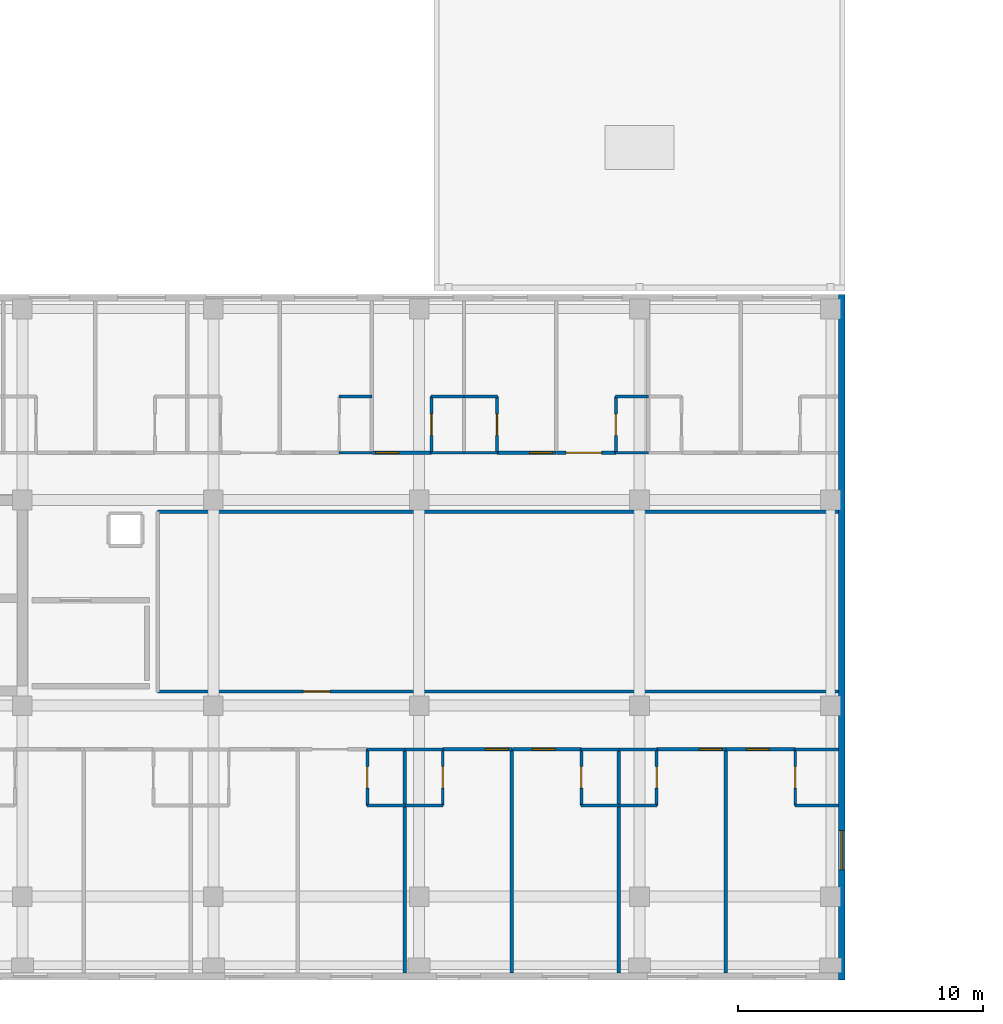
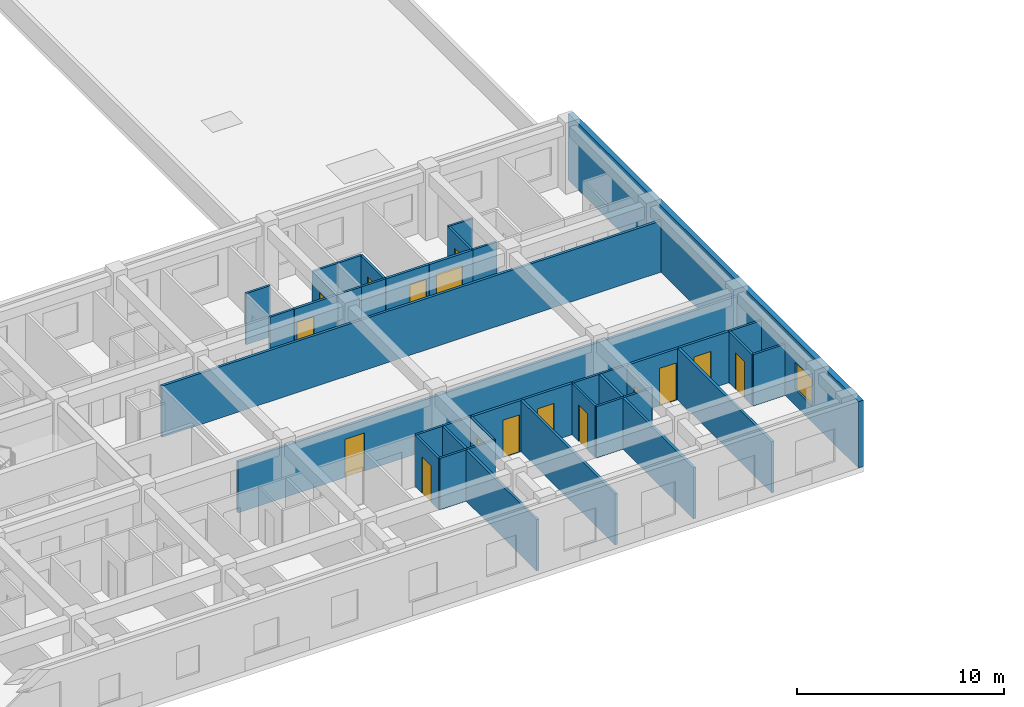
# One storey, part 103 of 127: 40 walls, 16 doors, 1 window, 17 openings.
"""IFC4 building model written with IfcOpenShell, lengths in metres."""

from ifc_helpers import new_model, si_unit, direction, frame, frame_2d, origin, place, context, subcontext, project, spatial, rectangle, extrude, material, layer, layer_set, type_object, element, fill, save


model = new_model("IFC4")

# Units and contexts
model_context = context("Model", 3, precision=1e-05, world=origin(), true_north=direction((0.0, 1.0)))
body_context = subcontext(model_context, "Body", "Model", "MODEL_VIEW")
ifc_project = project(units=[si_unit("LENGTHUNIT", "METRE"), si_unit("AREAUNIT", "SQUARE_METRE"), si_unit("VOLUMEUNIT", "CUBIC_METRE"), si_unit("PLANEANGLEUNIT", "RADIAN"), si_unit("MASSUNIT", "GRAM", prefix="KILO")], contexts=[model_context])

# Site, building, storey
site_placement = place(None, origin())
site = spatial("IfcSite", under=ifc_project, at=site_placement, CompositionType="ELEMENT")
building_placement = place(site_placement, origin())
building = spatial("IfcBuilding", under=site, at=building_placement, Name="Zayran Congress Hotel", CompositionType="ELEMENT")
storey_placement = place(building_placement, frame((0.0, 0.0, 10.800048828125)))
storey = spatial("IfcBuildingStorey", under=building, at=storey_placement, Name="L02", CompositionType="ELEMENT", Elevation=10.800048828125)

# Wall, opening, window
ifc_material_1 = material(Name="Hajar Ma'ani limestone cavity wall and concrete C32/40", Category="masonry")
ifc_layer_1 = layer(ifc_material_1, 0.280029296875)
ifc_layer_set_1 = layer_set([ifc_layer_1], Name="Hajar Ma'ani limestone cavity wall and concrete C32/40")
wall_type_1 = type_object("IfcWallType", Name="WL-EX-280", PredefinedType="SOLIDWALL", material=ifc_layer_set_1)
wall_1_placement = place(storey_placement, frame((92.260009765625, 34.0, 0.0), z_axis=(0.0, 0.0, 1.0), x_axis=(0.0, -1.0, 0.0)))
wall_1 = element("IfcWall", 1, at=wall_1_placement, inside=storey, type_object=wall_type_1, Name="EW-V5-E-L02", PredefinedType="SOLIDWALL", context=body_context, shape_type="SweptSolid", body=[
    extrude(rectangle(XDim=28.0, YDim=0.280029296875, at=frame_2d((14.0, 0.0))), origin(), (0.0, 0.0, 1.0), 3.919921875),
])
opening_1_placement = place(wall_1_placement, frame((21.89990234375, 0.0, 0.949951171875)))
opening_1 = element("IfcOpeningElement", 2, at=opening_1_placement, cuts=wall_1, Name="Opening WN-15", PredefinedType="OPENING", context=body_context, shape_type="SweptSolid", body=[
    extrude(rectangle(XDim=1.60009765625, YDim=1.60009765625, at=frame_2d((0.800048828125, 0.800048828125))), frame((0.0, 0.14990234375, 0.0), z_axis=(0.0, -1.0, 0.0), x_axis=(1.0, 0.0, 0.0)), (0.0, 0.0, 1.0), 0.300048828125),
])
ifc_material_2 = material(Name="Anodised aluminium and low-E insulated glass", Category="aluminium")
window_type = type_object("IfcWindowType", Name="TP-WN-15", PartitioningType="SINGLE_PANEL", PredefinedType="WINDOW", material=ifc_material_2)
window_placement = place(opening_1_placement, origin())
window = element("IfcWindow", 3, at=window_placement, inside=storey, type_object=window_type, Name="WIN-V5E-L02", OverallHeight=1.60009765625, OverallWidth=1.60009765625, PartitioningType="SINGLE_PANEL", PredefinedType="WINDOW", context=body_context, shape_type="SweptSolid", body=[
    extrude(rectangle(XDim=1.60009765625, YDim=1.60009765625, at=frame_2d((0.800048828125, 0.800048828125))), frame((0.0, 0.030029296875, 0.0), z_axis=(0.0, -1.0, 0.0), x_axis=(1.0, 0.0, 0.0)), (0.0, 0.0, 1.0), 0.06005859375),
])
fill(opening_1, window)

# Wall, opening, door
ifc_material_3 = material(Name="Hospitality guestroom acoustic partition", Category="gypsum")
ifc_layer_2 = layer(ifc_material_3, 0.139892578125)
ifc_layer_set_2 = layer_set([ifc_layer_2], Name="Hospitality guestroom acoustic partition")
wall_type_2 = type_object("IfcWallType", Name="WL-PT-140", PredefinedType="PARTITIONING", material=ifc_layer_set_2)
wall_2_placement = place(storey_placement, frame((64.320068359375, 17.780029296875, 0.0), z_axis=(0.0, 0.0, 1.0), x_axis=(1.0, 0.0, 0.0)))
wall_2 = element("IfcWall", 4, at=wall_2_placement, inside=storey, type_object=wall_type_2, Name="IW-L02-0515", PredefinedType="PARTITIONING", context=body_context, shape_type="SweptSolid", body=[
    extrude(rectangle(XDim=27.800048828125, YDim=0.139892578125, at=frame_2d((13.89990234375, 0.0))), origin(), (0.0, 0.0, 1.0), 3.02001953125),
])
opening_2_placement = place(wall_2_placement, frame((5.9580078125, 0.0, 0.0)))
opening_2 = element("IfcOpeningElement", 5, at=opening_2_placement, cuts=wall_2, Name="Opening DR-MT-01", PredefinedType="OPENING", context=body_context, shape_type="SweptSolid", body=[
    extrude(rectangle(XDim=1.080078125, YDim=2.25, at=frame_2d((0.5400390625, 1.125))), frame((0.0, 0.079833984375, 0.0), z_axis=(0.0, -1.0, 0.0), x_axis=(1.0, 0.0, 0.0)), (0.0, 0.0, 1.0), 0.159912109375),
])
ifc_material_4 = material(Name="Acoustic timber seminar room door", Category="wood")
door_type_1 = type_object("IfcDoorType", Name="TP-DR-MT-01", OperationType="NOTDEFINED", PredefinedType="DOOR", material=ifc_material_4)
door_1_placement = place(opening_2_placement, origin())
door_1 = element("IfcDoor", 6, at=door_1_placement, inside=storey, type_object=door_type_1, Name="Delegate Study Salon East L02 Door", OperationType="SINGLE_SWING_RIGHT", OverallHeight=2.25, OverallWidth=1.080078125, PredefinedType="DOOR", context=body_context, shape_type="SweptSolid", body=[
    extrude(rectangle(XDim=1.080078125, YDim=2.25, at=frame_2d((0.5400390625, 1.125))), frame((0.0, 0.02490234375, 0.0), z_axis=(0.0, -1.0, 0.0), x_axis=(1.0, 0.0, 0.0)), (0.0, 0.0, 1.0), 0.050048828125),
])
fill(opening_2, door_1)

wall_3_placement = place(storey_placement, frame((75.965087890625, 15.419921875, 0.0), z_axis=(0.0, 0.0, 1.0), x_axis=(1.0, 0.0, 0.0)))
wall_3 = element("IfcWall", 7, at=wall_3_placement, inside=storey, type_object=wall_type_2, Name="IW-L02-0531", PredefinedType="PARTITIONING", context=body_context, shape_type="SweptSolid", body=[
    extrude(rectangle(XDim=2.81982421875, YDim=0.139892578125, at=frame_2d((1.409912109375, 0.0))), origin(), (0.0, 0.0, 1.0), 3.02001953125),
])
opening_3_placement = place(wall_3_placement, frame((1.739990234375, 0.0, 0.0)))
opening_3 = element("IfcOpeningElement", 8, at=opening_3_placement, cuts=wall_3, Name="Opening DR-GR-01", PredefinedType="OPENING", context=body_context, shape_type="SweptSolid", body=[
    extrude(rectangle(XDim=0.93994140625, YDim=2.199951171875, at=frame_2d((0.469970703125, 1.10009765625))), frame((0.0, 0.079833984375, 0.0), z_axis=(0.0, -1.0, 0.0), x_axis=(1.0, 0.0, 0.0)), (0.0, 0.0, 1.0), 0.159912109375),
])
ifc_material_5 = material(Name="Acoustic walnut veneer fire-rated entry door", Category="wood")
door_type_2 = type_object("IfcDoorType", Name="TP-DR-GR-01", OperationType="NOTDEFINED", PredefinedType="DOOR", material=ifc_material_5)
door_2_placement = place(opening_3_placement, origin())
door_2 = element("IfcDoor", 9, at=door_2_placement, inside=storey, type_object=door_type_2, Name="Guest Room L02-16 Door", OperationType="SINGLE_SWING_LEFT", OverallHeight=2.199951171875, OverallWidth=0.93994140625, PredefinedType="DOOR", context=body_context, shape_type="SweptSolid", body=[
    extrude(rectangle(XDim=0.93994140625, YDim=2.199951171875, at=frame_2d((0.469970703125, 1.10009765625))), frame((0.0, 0.02490234375, 0.0), z_axis=(0.0, -1.0, 0.0), x_axis=(1.0, 0.0, 0.0)), (0.0, 0.0, 1.0), 0.050048828125),
])
fill(opening_3, door_2)

wall_4_placement = place(storey_placement, frame((78.804931640625, 15.419921875, 0.0), z_axis=(0.0, 0.0, 1.0), x_axis=(1.0, 0.0, 0.0)))
wall_4 = element("IfcWall", 10, at=wall_4_placement, inside=storey, type_object=wall_type_2, Name="IW-L02-0532", PredefinedType="PARTITIONING", context=body_context, shape_type="SweptSolid", body=[
    extrude(rectangle(XDim=2.819091796875, YDim=0.139892578125, at=frame_2d((1.40966796875, 0.0))), origin(), (0.0, 0.0, 1.0), 3.02001953125),
])
opening_4_placement = place(wall_4_placement, frame((0.824951171875, 0.0, 0.0)))
opening_4 = element("IfcOpeningElement", 11, at=opening_4_placement, cuts=wall_4, Name="Opening DR-GR-01", PredefinedType="OPENING", context=body_context, shape_type="SweptSolid", body=[
    extrude(rectangle(XDim=0.93994140625, YDim=2.199951171875, at=frame_2d((0.469970703125, 1.10009765625))), frame((0.0, 0.079833984375, 0.0), z_axis=(0.0, -1.0, 0.0), x_axis=(1.0, 0.0, 0.0)), (0.0, 0.0, 1.0), 0.159912109375),
])
door_3_placement = place(opening_4_placement, origin())
door_3 = element("IfcDoor", 12, at=door_3_placement, inside=storey, type_object=door_type_2, Name="Guest Room L02-17 Door", OperationType="SINGLE_SWING_RIGHT", OverallHeight=2.199951171875, OverallWidth=0.93994140625, PredefinedType="DOOR", context=body_context, shape_type="SweptSolid", body=[
    extrude(rectangle(XDim=0.93994140625, YDim=2.199951171875, at=frame_2d((0.469970703125, 1.10009765625))), frame((0.0, 0.02490234375, 0.0), z_axis=(0.0, -1.0, 0.0), x_axis=(1.0, 0.0, 0.0)), (0.0, 0.0, 1.0), 0.050048828125),
])
fill(opening_4, door_3)

wall_5_placement = place(storey_placement, frame((84.701904296875, 15.419921875, 0.0), z_axis=(0.0, 0.0, 1.0), x_axis=(1.0, 0.0, 0.0)))
wall_5 = element("IfcWall", 13, at=wall_5_placement, inside=storey, type_object=wall_type_2, Name="IW-L02-0533", PredefinedType="PARTITIONING", context=body_context, shape_type="SweptSolid", body=[
    extrude(rectangle(XDim=2.820068359375, YDim=0.139892578125, at=frame_2d((1.41015625, 0.0))), origin(), (0.0, 0.0, 1.0), 3.02001953125),
])
opening_5_placement = place(wall_5_placement, frame((1.739990234375, 0.0, 0.0)))
opening_5 = element("IfcOpeningElement", 14, at=opening_5_placement, cuts=wall_5, Name="Opening DR-GR-01", PredefinedType="OPENING", context=body_context, shape_type="SweptSolid", body=[
    extrude(rectangle(XDim=0.93994140625, YDim=2.199951171875, at=frame_2d((0.469970703125, 1.10009765625))), frame((0.0, 0.079833984375, 0.0), z_axis=(0.0, -1.0, 0.0), x_axis=(1.0, 0.0, 0.0)), (0.0, 0.0, 1.0), 0.159912109375),
])
door_4_placement = place(opening_5_placement, origin())
door_4 = element("IfcDoor", 15, at=door_4_placement, inside=storey, type_object=door_type_2, Name="Guest Room L02-18 Door", OperationType="SINGLE_SWING_LEFT", OverallHeight=2.199951171875, OverallWidth=0.93994140625, PredefinedType="DOOR", context=body_context, shape_type="SweptSolid", body=[
    extrude(rectangle(XDim=0.93994140625, YDim=2.199951171875, at=frame_2d((0.469970703125, 1.10009765625))), frame((0.0, 0.02490234375, 0.0), z_axis=(0.0, -1.0, 0.0), x_axis=(1.0, 0.0, 0.0)), (0.0, 0.0, 1.0), 0.050048828125),
])
fill(opening_5, door_4)

wall_6_placement = place(storey_placement, frame((87.5419921875, 15.419921875, 0.0), z_axis=(0.0, 0.0, 1.0), x_axis=(1.0, 0.0, 0.0)))
wall_6 = element("IfcWall", 16, at=wall_6_placement, inside=storey, type_object=wall_type_2, Name="IW-L02-0534", PredefinedType="PARTITIONING", context=body_context, shape_type="SweptSolid", body=[
    extrude(rectangle(XDim=2.819091796875, YDim=0.139892578125, at=frame_2d((1.40966796875, 0.0))), origin(), (0.0, 0.0, 1.0), 3.02001953125),
])
opening_6_placement = place(wall_6_placement, frame((0.824951171875, 0.0, 0.0)))
opening_6 = element("IfcOpeningElement", 17, at=opening_6_placement, cuts=wall_6, Name="Opening DR-GR-01", PredefinedType="OPENING", context=body_context, shape_type="SweptSolid", body=[
    extrude(rectangle(XDim=0.93994140625, YDim=2.199951171875, at=frame_2d((0.469970703125, 1.10009765625))), frame((0.0, 0.079833984375, 0.0), z_axis=(0.0, -1.0, 0.0), x_axis=(1.0, 0.0, 0.0)), (0.0, 0.0, 1.0), 0.159912109375),
])
door_5_placement = place(opening_6_placement, origin())
door_5 = element("IfcDoor", 18, at=door_5_placement, inside=storey, type_object=door_type_2, Name="Guest Room L02-19 Door", OperationType="SINGLE_SWING_RIGHT", OverallHeight=2.199951171875, OverallWidth=0.93994140625, PredefinedType="DOOR", context=body_context, shape_type="SweptSolid", body=[
    extrude(rectangle(XDim=0.93994140625, YDim=2.199951171875, at=frame_2d((0.469970703125, 1.10009765625))), frame((0.0, 0.02490234375, 0.0), z_axis=(0.0, -1.0, 0.0), x_axis=(1.0, 0.0, 0.0)), (0.0, 0.0, 1.0), 0.050048828125),
])
fill(opening_6, door_5)

wall_7_placement = place(storey_placement, frame((73.089111328125, 27.530029296875, 0.0), z_axis=(0.0, 0.0, 1.0), x_axis=(1.0, 0.0, 0.0)))
wall_7 = element("IfcWall", 19, at=wall_7_placement, inside=storey, type_object=wall_type_2, Name="IW-L02-0551", PredefinedType="PARTITIONING", context=body_context, shape_type="SweptSolid", body=[
    extrude(rectangle(XDim=2.414794921875, YDim=0.139892578125, at=frame_2d((1.20751953125, 0.0))), origin(), (0.0, 0.0, 1.0), 3.02001953125),
])
opening_7_placement = place(wall_7_placement, frame((0.139892578125, 0.0, 0.0)))
opening_7 = element("IfcOpeningElement", 20, at=opening_7_placement, cuts=wall_7, Name="Opening DR-GR-01", PredefinedType="OPENING", context=body_context, shape_type="SweptSolid", body=[
    extrude(rectangle(XDim=0.93994140625, YDim=2.199951171875, at=frame_2d((0.469970703125, 1.10009765625))), frame((0.0, 0.079833984375, 0.0), z_axis=(0.0, -1.0, 0.0), x_axis=(1.0, 0.0, 0.0)), (0.0, 0.0, 1.0), 0.159912109375),
])
door_6_placement = place(opening_7_placement, origin())
door_6 = element("IfcDoor", 21, at=door_6_placement, inside=storey, type_object=door_type_2, Name="Guest Room L02-34 Door", OperationType="SINGLE_SWING_LEFT", OverallHeight=2.199951171875, OverallWidth=0.93994140625, PredefinedType="DOOR", context=body_context, shape_type="SweptSolid", body=[
    extrude(rectangle(XDim=0.93994140625, YDim=2.199951171875, at=frame_2d((0.469970703125, 1.10009765625))), frame((0.0, 0.02490234375, 0.0), z_axis=(0.0, -1.0, 0.0), x_axis=(1.0, 0.0, 0.0)), (0.0, 0.0, 1.0), 0.050048828125),
])
fill(opening_7, door_6)

wall_8_placement = place(storey_placement, frame((78.181884765625, 27.530029296875, 0.0), z_axis=(0.0, 0.0, 1.0), x_axis=(1.0, 0.0, 0.0)))
wall_8 = element("IfcWall", 22, at=wall_8_placement, inside=storey, type_object=wall_type_2, Name="IW-L02-0552", PredefinedType="PARTITIONING", context=body_context, shape_type="SweptSolid", body=[
    extrude(rectangle(XDim=2.4150390625, YDim=0.139892578125, at=frame_2d((1.20751953125, 0.0))), origin(), (0.0, 0.0, 1.0), 3.02001953125),
])
opening_8_placement = place(wall_8_placement, frame((1.3349609375, 0.0, 0.0)))
opening_8 = element("IfcOpeningElement", 23, at=opening_8_placement, cuts=wall_8, Name="Opening DR-GR-01", PredefinedType="OPENING", context=body_context, shape_type="SweptSolid", body=[
    extrude(rectangle(XDim=0.93994140625, YDim=2.199951171875, at=frame_2d((0.469970703125, 1.10009765625))), frame((0.0, 0.079833984375, 0.0), z_axis=(0.0, -1.0, 0.0), x_axis=(1.0, 0.0, 0.0)), (0.0, 0.0, 1.0), 0.159912109375),
])
door_7_placement = place(opening_8_placement, origin())
door_7 = element("IfcDoor", 24, at=door_7_placement, inside=storey, type_object=door_type_2, Name="Guest Room L02-35 Door", OperationType="SINGLE_SWING_RIGHT", OverallHeight=2.199951171875, OverallWidth=0.93994140625, PredefinedType="DOOR", context=body_context, shape_type="SweptSolid", body=[
    extrude(rectangle(XDim=0.93994140625, YDim=2.199951171875, at=frame_2d((0.469970703125, 1.10009765625))), frame((0.0, 0.02490234375, 0.0), z_axis=(0.0, -1.0, 0.0), x_axis=(1.0, 0.0, 0.0)), (0.0, 0.0, 1.0), 0.050048828125),
])
fill(opening_8, door_7)

wall_9_placement = place(storey_placement, frame((80.616943359375, 27.530029296875, 0.0), z_axis=(0.0, 0.0, 1.0), x_axis=(1.0, 0.0, 0.0)))
wall_9 = element("IfcWall", 25, at=wall_9_placement, inside=storey, type_object=wall_type_2, Name="IW-L02-0553", PredefinedType="PARTITIONING", context=body_context, shape_type="SweptSolid", body=[
    extrude(rectangle(XDim=2.4150390625, YDim=0.139892578125, at=frame_2d((1.20751953125, 0.0))), origin(), (0.0, 0.0, 1.0), 3.02001953125),
])
opening_9_placement = place(wall_9_placement, frame((0.385009765625, 0.0, 0.0)))
opening_9 = element("IfcOpeningElement", 26, at=opening_9_placement, cuts=wall_9, Name="Opening DR-ST-01", PredefinedType="OPENING", context=body_context, shape_type="SweptSolid", body=[
    extrude(rectangle(XDim=1.449951171875, YDim=2.300048828125, at=frame_2d((0.72509765625, 1.14990234375))), frame((0.0, 0.079833984375, 0.0), z_axis=(0.0, -1.0, 0.0), x_axis=(1.0, 0.0, 0.0)), (0.0, 0.0, 1.0), 0.159912109375),
])
ifc_material_6 = material(Name="Double walnut veneer suite entry door", Category="wood")
door_type_3 = type_object("IfcDoorType", Name="TP-DR-ST-01", OperationType="DOUBLE_DOOR_SINGLE_SWING", PredefinedType="DOOR", material=ifc_material_6)
door_8_placement = place(opening_9_placement, origin())
door_8 = element("IfcDoor", 27, at=door_8_placement, inside=storey, type_object=door_type_3, Name="Executive Suite L02-36 Door", OperationType="DOUBLE_DOOR_SINGLE_SWING", OverallHeight=2.300048828125, OverallWidth=1.449951171875, PredefinedType="DOOR", context=body_context, shape_type="SweptSolid", body=[
    extrude(rectangle(XDim=1.449951171875, YDim=2.300048828125, at=frame_2d((0.72509765625, 1.14990234375))), frame((0.0, 0.02490234375, 0.0), z_axis=(0.0, -1.0, 0.0), x_axis=(1.0, 0.0, 0.0)), (0.0, 0.0, 1.0), 0.050048828125),
])
fill(opening_9, door_8)

# Walls
wall_10_placement = place(storey_placement, frame((64.320068359375, 25.1201171875, 0.0), z_axis=(0.0, 0.0, 1.0), x_axis=(1.0, 0.0, 0.0)))
element("IfcWall", 28, at=wall_10_placement, inside=storey, type_object=wall_type_2, Name="IW-L02-1830", PredefinedType="PARTITIONING", context=body_context, shape_type="SweptSolid", body=[
    extrude(rectangle(XDim=27.800048828125, YDim=0.139892578125, at=frame_2d((13.89990234375, 0.0))), origin(), (0.0, 0.0, 1.0), 3.02001953125),
])
for number, where, z_axis, x_axis, name in (
    (29, (74.416015625, 6.280029296875, 0.0), (0.0, 0.0, 1.0), (0.0, 1.0, 0.0), "IW-L02-1846"),
    (30, (78.784912109375, 6.280029296875, 0.0), (0.0, 0.0, 1.0), (0.0, 1.0, 0.0), "IW-L02-1847"),
    (31, (83.153076171875, 6.280029296875, 0.0), (0.0, 0.0, 1.0), (0.0, 1.0, 0.0), "IW-L02-1848"),
    (32, (87.52197265625, 6.280029296875, 0.0), (0.0, 0.0, 1.0), (0.0, 1.0, 0.0), "IW-L02-1849"),
):
    element("IfcWall", number, at=place(storey_placement, frame(where, z_axis=z_axis, x_axis=x_axis)), inside=storey, type_object=wall_type_2, Name=name, PredefinedType="PARTITIONING", context=body_context, shape_type="SweptSolid", body=[
        extrude(rectangle(XDim=9.14990234375, YDim=0.139892578125, at=frame_2d((4.574951171875, 0.0))), origin(), (0.0, 0.0, 1.0), 3.02001953125),
    ])

# Wall, opening, door
ifc_material_7 = material(Name="Moisture-resistant bathroom partition", Category="gypsum")
ifc_layer_3 = layer(ifc_material_7, 0.1201171875)
ifc_layer_set_3 = layer_set([ifc_layer_3], Name="Moisture-resistant bathroom partition")
wall_type_3 = type_object("IfcWallType", Name="WL-PT-120", PredefinedType="PARTITIONING", material=ifc_layer_set_3)
wall_11_placement = place(storey_placement, frame((72.886962890625, 13.1201171875, 0.0), z_axis=(0.0, 0.0, 1.0), x_axis=(0.0, 1.0, 0.0)))
wall_11 = element("IfcWall", 33, at=wall_11_placement, inside=storey, type_object=wall_type_3, Name="IW-L02-0067", PredefinedType="PARTITIONING", context=body_context, shape_type="SweptSolid", body=[
    extrude(rectangle(XDim=2.309814453125, YDim=0.1201171875, at=frame_2d((1.15478515625, 0.0))), origin(), (0.0, 0.0, 1.0), 3.02001953125),
])
opening_10_placement = place(wall_11_placement, frame((0.715087890625, 0.0, 0.0)))
opening_10 = element("IfcOpeningElement", 34, at=opening_10_placement, cuts=wall_11, Name="Opening DR-BT-01", PredefinedType="OPENING", context=body_context, shape_type="SweptSolid", body=[
    extrude(rectangle(XDim=0.8798828125, YDim=2.14990234375, at=frame_2d((0.43994140625, 1.074951171875))), frame((0.0, 0.070068359375, 0.0), z_axis=(0.0, -1.0, 0.0), x_axis=(1.0, 0.0, 0.0)), (0.0, 0.0, 1.0), 0.14013671875),
])
ifc_material_8 = material(Name="Moisture-resistant oak en-suite door", Category="wood")
door_type_4 = type_object("IfcDoorType", Name="TP-DR-BT-01", OperationType="NOTDEFINED", PredefinedType="DOOR", material=ifc_material_8)
door_9_placement = place(opening_10_placement, origin())
door_9 = element("IfcDoor", 35, at=door_9_placement, inside=storey, type_object=door_type_4, Name="En-Suite Bathroom L02-15 Door", OperationType="SINGLE_SWING_RIGHT", OverallHeight=2.14990234375, OverallWidth=0.8798828125, PredefinedType="DOOR", context=body_context, shape_type="SweptSolid", body=[
    extrude(rectangle(XDim=0.8798828125, YDim=2.14990234375, at=frame_2d((0.43994140625, 1.074951171875))), frame((0.0, 0.02490234375, 0.0), z_axis=(0.0, -1.0, 0.0), x_axis=(1.0, 0.0, 0.0)), (0.0, 0.0, 1.0), 0.050048828125),
])
fill(opening_10, door_9)

wall_12_placement = place(storey_placement, frame((75.965087890625, 13.1201171875, 0.0), z_axis=(0.0, 0.0, 1.0), x_axis=(0.0, 1.0, 0.0)))
wall_12 = element("IfcWall", 36, at=wall_12_placement, inside=storey, type_object=wall_type_3, Name="IW-L02-0068", PredefinedType="PARTITIONING", context=body_context, shape_type="SweptSolid", body=[
    extrude(rectangle(XDim=2.309814453125, YDim=0.1201171875, at=frame_2d((1.15478515625, 0.0))), origin(), (0.0, 0.0, 1.0), 3.02001953125),
])
opening_11_placement = place(wall_12_placement, frame((0.715087890625, 0.0, 0.0)))
opening_11 = element("IfcOpeningElement", 37, at=opening_11_placement, cuts=wall_12, Name="Opening DR-BT-01", PredefinedType="OPENING", context=body_context, shape_type="SweptSolid", body=[
    extrude(rectangle(XDim=0.8798828125, YDim=2.14990234375, at=frame_2d((0.43994140625, 1.074951171875))), frame((0.0, 0.070068359375, 0.0), z_axis=(0.0, -1.0, 0.0), x_axis=(1.0, 0.0, 0.0)), (0.0, 0.0, 1.0), 0.14013671875),
])
door_10_placement = place(opening_11_placement, origin())
door_10 = element("IfcDoor", 38, at=door_10_placement, inside=storey, type_object=door_type_4, Name="En-Suite Bathroom L02-16 Door", OperationType="SINGLE_SWING_LEFT", OverallHeight=2.14990234375, OverallWidth=0.8798828125, PredefinedType="DOOR", context=body_context, shape_type="SweptSolid", body=[
    extrude(rectangle(XDim=0.8798828125, YDim=2.14990234375, at=frame_2d((0.43994140625, 1.074951171875))), frame((0.0, 0.02490234375, 0.0), z_axis=(0.0, -1.0, 0.0), x_axis=(1.0, 0.0, 0.0)), (0.0, 0.0, 1.0), 0.050048828125),
])
fill(opening_11, door_10)

wall_13_placement = place(storey_placement, frame((81.6240234375, 13.1201171875, 0.0), z_axis=(0.0, 0.0, 1.0), x_axis=(0.0, 1.0, 0.0)))
wall_13 = element("IfcWall", 39, at=wall_13_placement, inside=storey, type_object=wall_type_3, Name="IW-L02-0069", PredefinedType="PARTITIONING", context=body_context, shape_type="SweptSolid", body=[
    extrude(rectangle(XDim=2.309814453125, YDim=0.1201171875, at=frame_2d((1.15478515625, 0.0))), origin(), (0.0, 0.0, 1.0), 3.02001953125),
])
opening_12_placement = place(wall_13_placement, frame((0.715087890625, 0.0, 0.0)))
opening_12 = element("IfcOpeningElement", 40, at=opening_12_placement, cuts=wall_13, Name="Opening DR-BT-01", PredefinedType="OPENING", context=body_context, shape_type="SweptSolid", body=[
    extrude(rectangle(XDim=0.8798828125, YDim=2.14990234375, at=frame_2d((0.43994140625, 1.074951171875))), frame((0.0, 0.070068359375, 0.0), z_axis=(0.0, -1.0, 0.0), x_axis=(1.0, 0.0, 0.0)), (0.0, 0.0, 1.0), 0.14013671875),
])
door_11_placement = place(opening_12_placement, origin())
door_11 = element("IfcDoor", 41, at=door_11_placement, inside=storey, type_object=door_type_4, Name="En-Suite Bathroom L02-17 Door", OperationType="SINGLE_SWING_RIGHT", OverallHeight=2.14990234375, OverallWidth=0.8798828125, PredefinedType="DOOR", context=body_context, shape_type="SweptSolid", body=[
    extrude(rectangle(XDim=0.8798828125, YDim=2.14990234375, at=frame_2d((0.43994140625, 1.074951171875))), frame((0.0, 0.02490234375, 0.0), z_axis=(0.0, -1.0, 0.0), x_axis=(1.0, 0.0, 0.0)), (0.0, 0.0, 1.0), 0.050048828125),
])
fill(opening_12, door_11)

wall_14_placement = place(storey_placement, frame((84.701904296875, 13.1201171875, 0.0), z_axis=(0.0, 0.0, 1.0), x_axis=(0.0, 1.0, 0.0)))
wall_14 = element("IfcWall", 42, at=wall_14_placement, inside=storey, type_object=wall_type_3, Name="IW-L02-0070", PredefinedType="PARTITIONING", context=body_context, shape_type="SweptSolid", body=[
    extrude(rectangle(XDim=2.309814453125, YDim=0.1201171875, at=frame_2d((1.15478515625, 0.0))), origin(), (0.0, 0.0, 1.0), 3.02001953125),
])
opening_13_placement = place(wall_14_placement, frame((0.715087890625, 0.0, 0.0)))
opening_13 = element("IfcOpeningElement", 43, at=opening_13_placement, cuts=wall_14, Name="Opening DR-BT-01", PredefinedType="OPENING", context=body_context, shape_type="SweptSolid", body=[
    extrude(rectangle(XDim=0.8798828125, YDim=2.14990234375, at=frame_2d((0.43994140625, 1.074951171875))), frame((0.0, 0.070068359375, 0.0), z_axis=(0.0, -1.0, 0.0), x_axis=(1.0, 0.0, 0.0)), (0.0, 0.0, 1.0), 0.14013671875),
])
door_12_placement = place(opening_13_placement, origin())
door_12 = element("IfcDoor", 44, at=door_12_placement, inside=storey, type_object=door_type_4, Name="En-Suite Bathroom L02-18 Door", OperationType="SINGLE_SWING_LEFT", OverallHeight=2.14990234375, OverallWidth=0.8798828125, PredefinedType="DOOR", context=body_context, shape_type="SweptSolid", body=[
    extrude(rectangle(XDim=0.8798828125, YDim=2.14990234375, at=frame_2d((0.43994140625, 1.074951171875))), frame((0.0, 0.02490234375, 0.0), z_axis=(0.0, -1.0, 0.0), x_axis=(1.0, 0.0, 0.0)), (0.0, 0.0, 1.0), 0.050048828125),
])
fill(opening_13, door_12)

wall_15_placement = place(storey_placement, frame((90.361083984375, 13.1201171875, 0.0), z_axis=(0.0, 0.0, 1.0), x_axis=(0.0, 1.0, 0.0)))
wall_15 = element("IfcWall", 45, at=wall_15_placement, inside=storey, type_object=wall_type_3, Name="IW-L02-0071", PredefinedType="PARTITIONING", context=body_context, shape_type="SweptSolid", body=[
    extrude(rectangle(XDim=2.309814453125, YDim=0.1201171875, at=frame_2d((1.15478515625, 0.0))), origin(), (0.0, 0.0, 1.0), 3.02001953125),
])
opening_14_placement = place(wall_15_placement, frame((0.715087890625, 0.0, 0.0)))
opening_14 = element("IfcOpeningElement", 46, at=opening_14_placement, cuts=wall_15, Name="Opening DR-BT-01", PredefinedType="OPENING", context=body_context, shape_type="SweptSolid", body=[
    extrude(rectangle(XDim=0.8798828125, YDim=2.14990234375, at=frame_2d((0.43994140625, 1.074951171875))), frame((0.0, 0.070068359375, 0.0), z_axis=(0.0, -1.0, 0.0), x_axis=(1.0, 0.0, 0.0)), (0.0, 0.0, 1.0), 0.14013671875),
])
door_13_placement = place(opening_14_placement, origin())
door_13 = element("IfcDoor", 47, at=door_13_placement, inside=storey, type_object=door_type_4, Name="En-Suite Bathroom L02-19 Door", OperationType="SINGLE_SWING_RIGHT", OverallHeight=2.14990234375, OverallWidth=0.8798828125, PredefinedType="DOOR", context=body_context, shape_type="SweptSolid", body=[
    extrude(rectangle(XDim=0.8798828125, YDim=2.14990234375, at=frame_2d((0.43994140625, 1.074951171875))), frame((0.0, 0.02490234375, 0.0), z_axis=(0.0, -1.0, 0.0), x_axis=(1.0, 0.0, 0.0)), (0.0, 0.0, 1.0), 0.050048828125),
])
fill(opening_14, door_13)

wall_16_placement = place(storey_placement, frame((75.50390625, 27.52001953125, 0.0), z_axis=(0.0, 0.0, 1.0), x_axis=(0.0, 1.0, 0.0)))
wall_16 = element("IfcWall", 48, at=wall_16_placement, inside=storey, type_object=wall_type_3, Name="IW-L02-0086", PredefinedType="PARTITIONING", context=body_context, shape_type="SweptSolid", body=[
    extrude(rectangle(XDim=2.31005859375, YDim=0.1201171875, at=frame_2d((1.155029296875, 0.0))), origin(), (0.0, 0.0, 1.0), 3.02001953125),
])
opening_15_placement = place(wall_16_placement, frame((0.715087890625, 0.0, 0.0)))
opening_15 = element("IfcOpeningElement", 49, at=opening_15_placement, cuts=wall_16, Name="Opening DR-BT-01", PredefinedType="OPENING", context=body_context, shape_type="SweptSolid", body=[
    extrude(rectangle(XDim=0.8798828125, YDim=2.14990234375, at=frame_2d((0.43994140625, 1.074951171875))), frame((0.0, 0.070068359375, 0.0), z_axis=(0.0, -1.0, 0.0), x_axis=(1.0, 0.0, 0.0)), (0.0, 0.0, 1.0), 0.14013671875),
])
door_14_placement = place(opening_15_placement, origin())
door_14 = element("IfcDoor", 50, at=door_14_placement, inside=storey, type_object=door_type_4, Name="En-Suite Bathroom L02-34 Door", OperationType="SINGLE_SWING_LEFT", OverallHeight=2.14990234375, OverallWidth=0.8798828125, PredefinedType="DOOR", context=body_context, shape_type="SweptSolid", body=[
    extrude(rectangle(XDim=0.8798828125, YDim=2.14990234375, at=frame_2d((0.43994140625, 1.074951171875))), frame((0.0, 0.02490234375, 0.0), z_axis=(0.0, -1.0, 0.0), x_axis=(1.0, 0.0, 0.0)), (0.0, 0.0, 1.0), 0.050048828125),
])
fill(opening_15, door_14)

wall_17_placement = place(storey_placement, frame((78.181884765625, 27.52001953125, 0.0), z_axis=(0.0, 0.0, 1.0), x_axis=(0.0, 1.0, 0.0)))
wall_17 = element("IfcWall", 51, at=wall_17_placement, inside=storey, type_object=wall_type_3, Name="IW-L02-0087", PredefinedType="PARTITIONING", context=body_context, shape_type="SweptSolid", body=[
    extrude(rectangle(XDim=2.31005859375, YDim=0.1201171875, at=frame_2d((1.155029296875, 0.0))), origin(), (0.0, 0.0, 1.0), 3.02001953125),
])
opening_16_placement = place(wall_17_placement, frame((0.715087890625, 0.0, 0.0)))
opening_16 = element("IfcOpeningElement", 52, at=opening_16_placement, cuts=wall_17, Name="Opening DR-BT-01", PredefinedType="OPENING", context=body_context, shape_type="SweptSolid", body=[
    extrude(rectangle(XDim=0.8798828125, YDim=2.14990234375, at=frame_2d((0.43994140625, 1.074951171875))), frame((0.0, 0.070068359375, 0.0), z_axis=(0.0, -1.0, 0.0), x_axis=(1.0, 0.0, 0.0)), (0.0, 0.0, 1.0), 0.14013671875),
])
door_15_placement = place(opening_16_placement, origin())
door_15 = element("IfcDoor", 53, at=door_15_placement, inside=storey, type_object=door_type_4, Name="En-Suite Bathroom L02-35 Door", OperationType="SINGLE_SWING_RIGHT", OverallHeight=2.14990234375, OverallWidth=0.8798828125, PredefinedType="DOOR", context=body_context, shape_type="SweptSolid", body=[
    extrude(rectangle(XDim=0.8798828125, YDim=2.14990234375, at=frame_2d((0.43994140625, 1.074951171875))), frame((0.0, 0.02490234375, 0.0), z_axis=(0.0, -1.0, 0.0), x_axis=(1.0, 0.0, 0.0)), (0.0, 0.0, 1.0), 0.050048828125),
])
fill(opening_16, door_15)

wall_18_placement = place(storey_placement, frame((83.031982421875, 27.52001953125, 0.0), z_axis=(0.0, 0.0, 1.0), x_axis=(0.0, 1.0, 0.0)))
wall_18 = element("IfcWall", 54, at=wall_18_placement, inside=storey, type_object=wall_type_3, Name="IW-L02-0088", PredefinedType="PARTITIONING", context=body_context, shape_type="SweptSolid", body=[
    extrude(rectangle(XDim=2.31005859375, YDim=0.1201171875, at=frame_2d((1.155029296875, 0.0))), origin(), (0.0, 0.0, 1.0), 3.02001953125),
])
opening_17_placement = place(wall_18_placement, frame((0.715087890625, 0.0, 0.0)))
opening_17 = element("IfcOpeningElement", 55, at=opening_17_placement, cuts=wall_18, Name="Opening DR-BT-01", PredefinedType="OPENING", context=body_context, shape_type="SweptSolid", body=[
    extrude(rectangle(XDim=0.8798828125, YDim=2.14990234375, at=frame_2d((0.43994140625, 1.074951171875))), frame((0.0, 0.070068359375, 0.0), z_axis=(0.0, -1.0, 0.0), x_axis=(1.0, 0.0, 0.0)), (0.0, 0.0, 1.0), 0.14013671875),
])
door_16_placement = place(opening_17_placement, origin())
door_16 = element("IfcDoor", 56, at=door_16_placement, inside=storey, type_object=door_type_4, Name="En-Suite Bathroom L02-36 Door", OperationType="SINGLE_SWING_LEFT", OverallHeight=2.14990234375, OverallWidth=0.8798828125, PredefinedType="DOOR", context=body_context, shape_type="SweptSolid", body=[
    extrude(rectangle(XDim=0.8798828125, YDim=2.14990234375, at=frame_2d((0.43994140625, 1.074951171875))), frame((0.0, 0.02490234375, 0.0), z_axis=(0.0, -1.0, 0.0), x_axis=(1.0, 0.0, 0.0)), (0.0, 0.0, 1.0), 0.050048828125),
])
fill(opening_17, door_16)

# Walls
for number, where, z_axis, x_axis, name in (
    (57, (72.876953125, 13.1298828125, 0.0), (0.0, 0.0, 1.0), (1.0, 0.0, 0.0), "IW-L02-1001"),
    (58, (72.876953125, 15.419921875, 0.0), (0.0, 0.0, 1.0), (1.0, 0.0, 0.0), "IW-L02-1002"),
    (59, (74.426025390625, 13.1298828125, 0.0), (0.0, 0.0, 1.0), (1.0, 0.0, 0.0), "IW-L02-1003"),
    (60, (74.426025390625, 15.419921875, 0.0), (0.0, 0.0, 1.0), (1.0, 0.0, 0.0), "IW-L02-1004"),
    (61, (81.614013671875, 13.1298828125, 0.0), (0.0, 0.0, 1.0), (1.0, 0.0, 0.0), "IW-L02-1005"),
    (62, (81.614013671875, 15.419921875, 0.0), (0.0, 0.0, 1.0), (1.0, 0.0, 0.0), "IW-L02-1006"),
):
    element("IfcWall", number, at=place(storey_placement, frame(where, z_axis=z_axis, x_axis=x_axis)), inside=storey, type_object=wall_type_3, Name=name, PredefinedType="PARTITIONING", context=body_context, shape_type="SweptSolid", body=[
        extrude(rectangle(XDim=1.549072265625, YDim=0.1201171875, at=frame_2d((0.7744140625, 0.0))), origin(), (0.0, 0.0, 1.0), 3.02001953125),
    ])
for number, where, z_axis, x_axis, name in (
    (63, (83.1630859375, 13.1298828125, 0.0), (0.0, 0.0, 1.0), (1.0, 0.0, 0.0), "IW-L02-1007"),
    (64, (83.1630859375, 15.419921875, 0.0), (0.0, 0.0, 1.0), (1.0, 0.0, 0.0), "IW-L02-1008"),
):
    element("IfcWall", number, at=place(storey_placement, frame(where, z_axis=z_axis, x_axis=x_axis)), inside=storey, type_object=wall_type_3, Name=name, PredefinedType="PARTITIONING", context=body_context, shape_type="SweptSolid", body=[
        extrude(rectangle(XDim=1.548828125, YDim=0.1201171875, at=frame_2d((0.7744140625, 0.0))), origin(), (0.0, 0.0, 1.0), 3.02001953125),
    ])
for number, where, z_axis, x_axis, name in (
    (65, (90.35107421875, 13.1298828125, 0.0), (0.0, 0.0, 1.0), (1.0, 0.0, 0.0), "IW-L02-1009"),
    (66, (90.35107421875, 15.419921875, 0.0), (0.0, 0.0, 1.0), (1.0, 0.0, 0.0), "IW-L02-1010"),
):
    element("IfcWall", number, at=place(storey_placement, frame(where, z_axis=z_axis, x_axis=x_axis)), inside=storey, type_object=wall_type_3, Name=name, PredefinedType="PARTITIONING", context=body_context, shape_type="SweptSolid", body=[
        extrude(rectangle(XDim=1.76904296875, YDim=0.1201171875, at=frame_2d((0.884521484375, 0.0))), origin(), (0.0, 0.0, 1.0), 3.02001953125),
    ])
for number, where, z_axis, x_axis, name in (
    (67, (71.72998046875, 27.530029296875, 0.0), (0.0, 0.0, 1.0), (1.0, 0.0, 0.0), "IW-L02-1037"),
    (68, (71.72998046875, 29.820068359375, 0.0), (0.0, 0.0, 1.0), (1.0, 0.0, 0.0), "IW-L02-1038"),
    (69, (75.493896484375, 27.530029296875, 0.0), (0.0, 0.0, 1.0), (1.0, 0.0, 0.0), "IW-L02-1039"),
    (70, (75.493896484375, 29.820068359375, 0.0), (0.0, 0.0, 1.0), (1.0, 0.0, 0.0), "IW-L02-1040"),
):
    element("IfcWall", number, at=place(storey_placement, frame(where, z_axis=z_axis, x_axis=x_axis)), inside=storey, type_object=wall_type_3, Name=name, PredefinedType="PARTITIONING", context=body_context, shape_type="SweptSolid", body=[
        extrude(rectangle(XDim=1.34912109375, YDim=0.1201171875, at=frame_2d((0.674560546875, 0.0))), origin(), (0.0, 0.0, 1.0), 3.02001953125),
    ])
for number, where, z_axis, x_axis, name in (
    (71, (76.843017578125, 27.530029296875, 0.0), (0.0, 0.0, 1.0), (1.0, 0.0, 0.0), "IW-L02-1041"),
    (72, (76.843017578125, 29.820068359375, 0.0), (0.0, 0.0, 1.0), (1.0, 0.0, 0.0), "IW-L02-1042"),
):
    element("IfcWall", number, at=place(storey_placement, frame(where, z_axis=z_axis, x_axis=x_axis)), inside=storey, type_object=wall_type_3, Name=name, PredefinedType="PARTITIONING", context=body_context, shape_type="SweptSolid", body=[
        extrude(rectangle(XDim=1.348876953125, YDim=0.1201171875, at=frame_2d((0.67431640625, 0.0))), origin(), (0.0, 0.0, 1.0), 3.02001953125),
    ])
for number, where, z_axis, x_axis, name in (
    (73, (83.02197265625, 27.530029296875, 0.0), (0.0, 0.0, 1.0), (1.0, 0.0, 0.0), "IW-L02-1043"),
    (74, (83.02197265625, 29.820068359375, 0.0), (0.0, 0.0, 1.0), (1.0, 0.0, 0.0), "IW-L02-1044"),
):
    element("IfcWall", number, at=place(storey_placement, frame(where, z_axis=z_axis, x_axis=x_axis)), inside=storey, type_object=wall_type_3, Name=name, PredefinedType="PARTITIONING", context=body_context, shape_type="SweptSolid", body=[
        extrude(rectangle(XDim=1.35009765625, YDim=0.1201171875, at=frame_2d((0.675048828125, 0.0))), origin(), (0.0, 0.0, 1.0), 3.02001953125),
    ])

save(model, "model.ifc")
